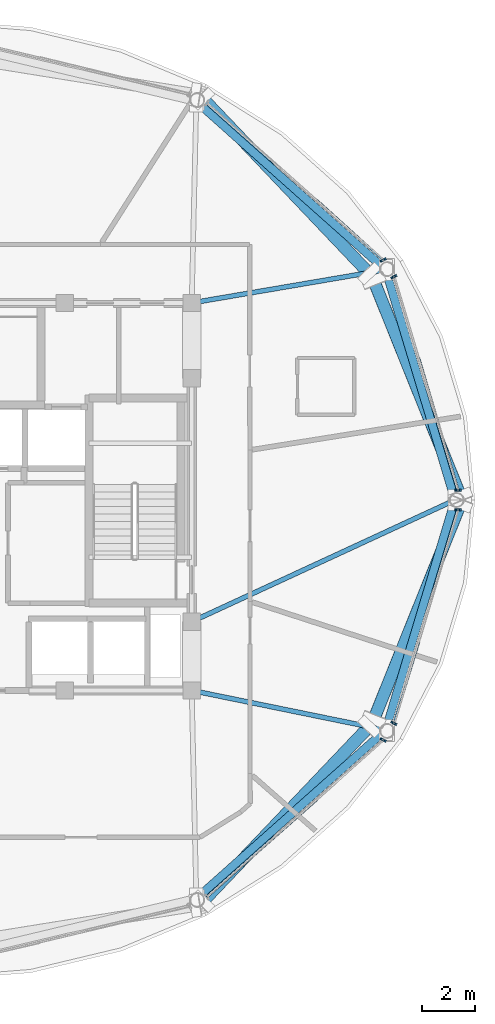
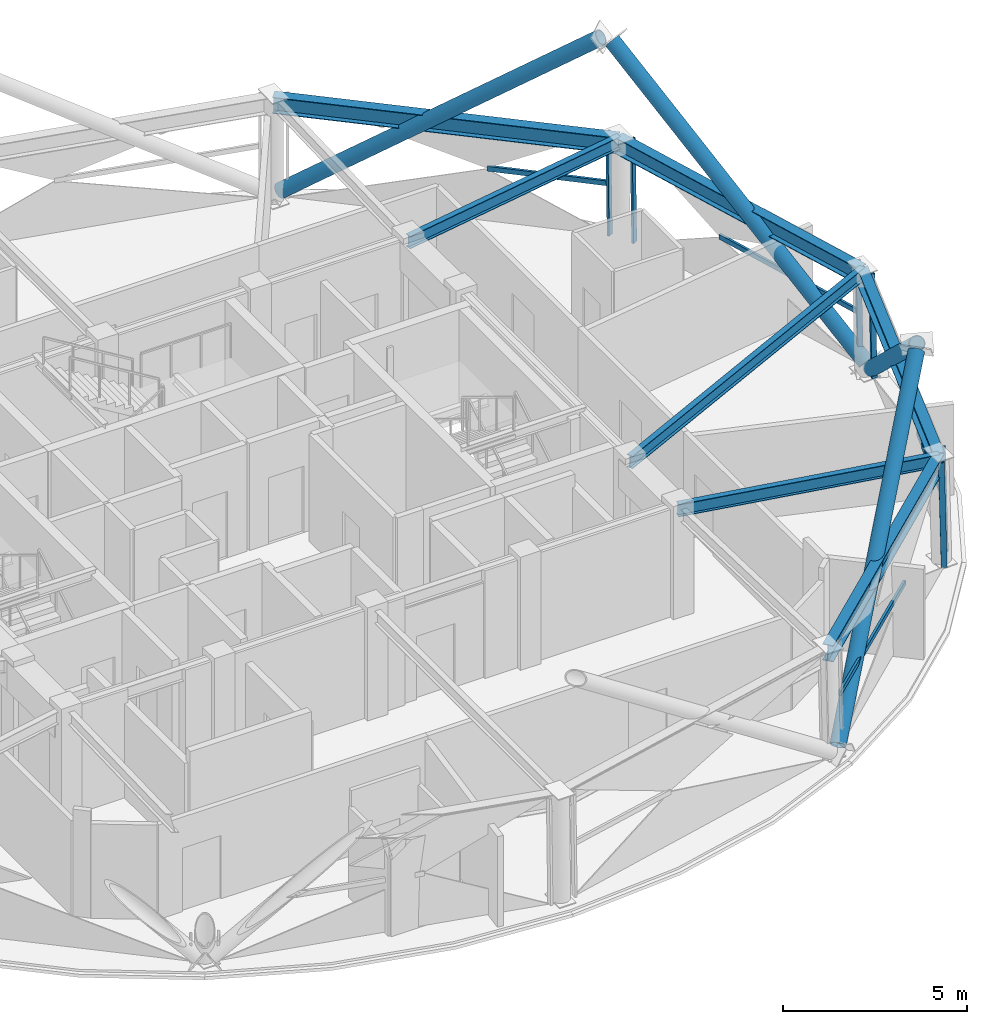
# One storey, part 4 of 15: 14 members, 7 beams, 4 elements without a shape of their own.
"""IFC4 building model written with IfcOpenShell, lengths in metres."""

import ifcopenshell
import ifcopenshell.guid

model = None  # the IFC model being written
_history = None  # IfcOwnerHistory: only IFC2X3 demands one
_inside = {}  # id of a spatial element -> (the spatial element, [elements in it])
_under = {}  # id of a project, library or spatial element -> (it, [spatial elements below it])
_declared = {}  # id of a project -> (the project, [libraries it declares])
_typed = {}  # id of a type object -> (the type object, [elements of that type])
_made_of = {}  # id of a material, layer set ... -> (it, [elements and type objects made of it])


def new_model(schema):
    """Start an empty IFC model of exactly this schema.

    Asked for "IFC4X3", IfcOpenShell would pick the latest addendum, in which some entities
    have other attributes; the version numbers below select the first issue.
    IFC2X3 requires an IfcOwnerHistory on every rooted entity: one is made here for all.
    """
    global model, _history
    if schema == "IFC4X3":
        model = ifcopenshell.file(schema_version=(4, 3, 0, 0))
    else:
        model = ifcopenshell.file(schema=schema)
    _inside.clear()
    _under.clear()
    _declared.clear()
    _typed.clear()
    _made_of.clear()
    _history = None
    if model.schema == "IFC2X3":
        org = make("IfcOrganization", Name="unknown")
        user = make(
            "IfcPersonAndOrganization",
            ThePerson=make("IfcPerson", FamilyName="unknown"),
            TheOrganization=org,
        )
        app = make(
            "IfcApplication",
            ApplicationDeveloper=org,
            Version="unknown",
            ApplicationFullName="unknown",
            ApplicationIdentifier="unknown",
        )
        _history = make(
            "IfcOwnerHistory",
            OwningUser=user,
            OwningApplication=app,
            ChangeAction="ADDED",
            CreationDate=0,
        )
    return model


def make(cls, **values):
    """One entity of the class cls with the attributes given. An attribute that is None is left unset."""
    return model.create_entity(
        cls, **{name: value for name, value in values.items() if value is not None}
    )


def rooted(cls, **values):
    """An entity with a GlobalId (a new one), such as an element, a storey or a relation."""
    return make(cls, GlobalId=ifcopenshell.guid.new(), OwnerHistory=_history, **values)


def si_unit(unit_type, name, prefix=None):
    """IfcSIUnit, for example si_unit("LENGTHUNIT", "METRE", prefix="MILLI")."""
    return make("IfcSIUnit", UnitType=unit_type, Prefix=prefix, Name=name)


def assignment(units):
    """IfcUnitAssignment: the units of a project."""
    return None if units is None else make("IfcUnitAssignment", Units=units)


def point(xyz):
    """IfcCartesianPoint."""
    return None if xyz is None else make("IfcCartesianPoint", Coordinates=xyz)


def direction(xyz):
    """IfcDirection."""
    return None if xyz is None else make("IfcDirection", DirectionRatios=xyz)


def frame(location, z_axis=None, x_axis=None):
    """IfcAxis2Placement3D, a coordinate frame: its origin and axes. An axis left out is left unset."""
    return make(
        "IfcAxis2Placement3D",
        Location=point(location),
        Axis=direction(z_axis),
        RefDirection=direction(x_axis),
    )


def frame_2d(location, x_axis=None):
    """IfcAxis2Placement2D, a coordinate frame in the plane: its origin and x axis."""
    return make(
        "IfcAxis2Placement2D", Location=point(location), RefDirection=direction(x_axis)
    )


def origin():
    """The frame at (0, 0, 0) with its axes left unset."""
    return frame((0.0, 0.0, 0.0))


def origin_2d():
    """The frame at (0, 0) in the plane with its x axis left unset."""
    return frame_2d((0.0, 0.0))


def place(relative_to, where):
    """IfcLocalPlacement: puts the frame where relative to a parent placement (None: the world)."""
    return make(
        "IfcLocalPlacement", PlacementRelTo=relative_to, RelativePlacement=where
    )


def context(
    kind, dimensions, precision=None, world=None, true_north=None, identifier=None
):
    """IfcGeometricRepresentationContext, for example the 3D "Model" context."""
    return make(
        "IfcGeometricRepresentationContext",
        ContextIdentifier=identifier,
        ContextType=kind,
        CoordinateSpaceDimension=dimensions,
        Precision=precision,
        WorldCoordinateSystem=world,
        TrueNorth=true_north,
    )


def subcontext(parent, identifier, kind, view, scale=None):
    """IfcGeometricRepresentationSubContext, for example "Body" below "Model"."""
    return make(
        "IfcGeometricRepresentationSubContext",
        ContextIdentifier=identifier,
        ContextType=kind,
        ParentContext=parent,
        TargetScale=scale,
        TargetView=view,
    )


def project(units=None, contexts=None):
    """IfcProject with its units and contexts."""
    return rooted(
        "IfcProject",
        Name="project",
        RepresentationContexts=contexts,
        UnitsInContext=assignment(units),
    )


def spatial(cls, under=None, at=None, **own):
    """A site, building, storey or space (cls), placed at a placement, below another one or the project."""
    s = rooted(cls, ObjectPlacement=at, **own)
    if under is not None:
        _under.setdefault(under.id(), (under, []))[1].append(s)
    return s


def profile(cls, at=None, kind="AREA", **sizes):
    """A parametric profile (cls). Its sizes go by their IFC names, for example OverallWidth=200.0."""
    return make(cls, ProfileType=kind, Position=at, **sizes)


def hollow_rectangle(**sizes):
    """IfcRectangleHollowProfileDef."""
    return profile("IfcRectangleHollowProfileDef", **sizes)


def hollow_circle(**sizes):
    """IfcCircleHollowProfileDef."""
    return profile("IfcCircleHollowProfileDef", **sizes)


def i_section(**sizes):
    """IfcIShapeProfileDef."""
    return profile("IfcIShapeProfileDef", **sizes)


def extrude(swept, where, along, depth):
    """IfcExtrudedAreaSolid: the profile swept, set in the frame where, extruded along a direction by depth."""
    return make(
        "IfcExtrudedAreaSolid",
        SweptArea=swept,
        Position=where,
        ExtrudedDirection=direction(along),
        Depth=depth,
    )


def shape(context_of_items, identifier, shape_type, items):
    """IfcShapeRepresentation: the items that make up one representation, for example the "Body"."""
    return make(
        "IfcShapeRepresentation",
        ContextOfItems=context_of_items,
        RepresentationIdentifier=identifier,
        RepresentationType=shape_type,
        Items=items,
    )


def material(Name=None, Category=None):
    """IfcMaterial."""
    return make("IfcMaterial", Name=Name, Category=Category)


def layer(
    of_material, thickness, ventilated=None, Name=None, Category=None, Priority=None
):
    """IfcMaterialLayer: one layer of a wall or slab, of a material (None: an air gap)."""
    return make(
        "IfcMaterialLayer",
        Material=of_material,
        LayerThickness=thickness,
        IsVentilated=ventilated,
        Name=Name,
        Category=Category,
        Priority=Priority,
    )


def layer_set(layers, Name=None):
    """IfcMaterialLayerSet."""
    return make("IfcMaterialLayerSet", MaterialLayers=layers, LayerSetName=Name)


def material_profile(
    of_material, cross_section, Name=None, Category=None, Priority=None
):
    """IfcMaterialProfile: a cross section and its material."""
    return make(
        "IfcMaterialProfile",
        Name=Name,
        Material=of_material,
        Profile=cross_section,
        Priority=Priority,
        Category=Category,
    )


def profile_set(profiles, Name=None, composite=None):
    """IfcMaterialProfileSet."""
    return make(
        "IfcMaterialProfileSet",
        Name=Name,
        MaterialProfiles=profiles,
        CompositeProfile=composite,
    )


def made_of(thing, what):
    """Note that an element or type object is made of a material, layer set ...; save() writes the relation."""
    if what is not None:
        _made_of.setdefault(what.id(), (what, []))[1].append(thing)
    return thing


def type_object(cls, material=None, **own):
    """A type object (cls), such as IfcWallType, which elements share."""
    return made_of(rooted(cls, **own), material)


def element(
    cls,
    number,
    at=None,
    inside=None,
    cuts=None,
    type_object=None,
    material=None,
    context=None,
    identifier="Body",
    shape_type=None,
    held_by="IfcProductDefinitionShape",
    body=None,
    shapes=None,
    **own,
):
    """One element of the class cls, such as IfcWall. Its Tag is "e" and its number.

    at: its placement. inside: the storey or other place that contains it. cuts: it is an
    opening in that element (IfcRelVoidsElement). A single representation is given by context,
    identifier, shape_type and body (its items); several are given by shapes. held_by: the class
    of the entity that holds the representations. save() writes the other relations.
    """
    e = rooted(cls, Tag="e%d" % number, ObjectPlacement=at, **own)
    if body is not None:
        shapes = [shape(context, identifier, shape_type, body)]
    if shapes is not None:
        e.Representation = make(held_by, Representations=shapes)
    if inside is not None:
        _inside.setdefault(inside.id(), (inside, []))[1].append(e)
    if cuts is not None:
        rooted(
            "IfcRelVoidsElement", RelatingBuildingElement=cuts, RelatedOpeningElement=e
        )
    if type_object is not None:
        _typed.setdefault(type_object.id(), (type_object, []))[1].append(e)
    return made_of(e, material)


def aggregate(whole, parts):
    """IfcRelAggregates: a whole, such as a stair, and the parts it consists of."""
    return rooted("IfcRelAggregates", RelatingObject=whole, RelatedObjects=parts)


def save(model, path):
    """Write the relations noted so far, then the file.

    IfcRelAggregates (storeys below a building ...), IfcRelContainedInSpatialStructure (elements
    in a storey), IfcRelDefinesByType, IfcRelAssociatesMaterial and IfcRelDeclares: one each for
    every whole, place, type object, material and project.
    """
    for whole, parts in _under.values():
        aggregate(whole, parts)
    for where, things in _inside.values():
        rooted(
            "IfcRelContainedInSpatialStructure",
            RelatedElements=things,
            RelatingStructure=where,
        )
    for kind, things in _typed.values():
        rooted("IfcRelDefinesByType", RelatedObjects=things, RelatingType=kind)
    for what, things in _made_of.values():
        rooted("IfcRelAssociatesMaterial", RelatedObjects=things, RelatingMaterial=what)
    for by, libraries in _declared.values():
        rooted("IfcRelDeclares", RelatingContext=by, RelatedDefinitions=libraries)
    model.write(path)


model = new_model("IFC4")

# Units and contexts
model_context = context("Model", 3, precision=1e-05, world=origin(), true_north=direction((0.0, 1.0)))
body_context = subcontext(model_context, "Body", "Model", "MODEL_VIEW")
ifc_project = project(units=[si_unit("LENGTHUNIT", "METRE"), si_unit("AREAUNIT", "SQUARE_METRE"), si_unit("VOLUMEUNIT", "CUBIC_METRE"), si_unit("PLANEANGLEUNIT", "RADIAN"), si_unit("MASSUNIT", "GRAM", prefix="KILO")], contexts=[model_context])

# Site, building, storey
site_placement = place(None, origin())
site = spatial("IfcSite", under=ifc_project, at=site_placement, CompositionType="ELEMENT")
building_placement = place(site_placement, origin())
building = spatial("IfcBuilding", under=site, at=building_placement, Name="Vantalir Tower", CompositionType="ELEMENT")
storey_placement = place(building_placement, frame((0.0, 0.0, 275.10009765625)))
storey = spatial("IfcBuildingStorey", under=building, at=storey_placement, Name="L69", CompositionType="ELEMENT", Elevation=275.10009765625)

# Beams
ifc_material_1 = material(Name="Steel S355", Category="steel")
ifc_material_profile_1 = material_profile(ifc_material_1, i_section(OverallWidth=0.179931640625, OverallDepth=0.4130859375, WebThickness=0.009521484375, FlangeThickness=0.01611328125, at=origin_2d()), Name="Steel S355")
ifc_profile_set_1 = profile_set([ifc_material_profile_1], Name="Steel S355")
beam_type_1 = type_object("IfcBeamType", Name="BM-RB-406x178", PredefinedType="BEAM", material=ifc_profile_set_1)
beam_1_placement = place(storey_placement, frame((51.050048828125, 25.0, 3.364013671875), z_axis=(-0.907688021413, -0.419645631198, 0.0), x_axis=(0.419645631198, -0.907688021413, 0.0)))
element("IfcBeam", 1, at=beam_1_placement, inside=storey, type_object=beam_type_1, Name="L69 Radial Floor Beam 01", PredefinedType="BEAM", context=body_context, shape_type="SweptSolid", body=[
    extrude(i_section(OverallWidth=0.179931640625, OverallDepth=0.4130859375, WebThickness=0.009521484375, FlangeThickness=0.01611328125, at=origin_2d()), origin(), (0.0, 0.0, 1.0), 10.9619140625),
])
beam_2_placement = place(storey_placement, frame((48.430908203125, 33.697998046875, 3.364013671875), z_axis=(-0.98581562279, -0.167831933383, 0.0), x_axis=(0.167831933383, -0.98581562279, 0.0)))
element("IfcBeam", 2, at=beam_2_placement, inside=storey, type_object=beam_type_1, Name="L69 Radial Floor Beam 02", PredefinedType="BEAM", context=body_context, shape_type="SweptSolid", body=[
    extrude(i_section(OverallWidth=0.179931640625, OverallDepth=0.4130859375, WebThickness=0.009521484375, FlangeThickness=0.01611328125, at=origin_2d()), origin(), (0.0, 0.0, 1.0), 7.436279296875),
])
beam_3_placement = place(storey_placement, frame((48.430908203125, 16.302001953125, 3.364013671875), z_axis=(-0.979752623577, 0.200211879251, 0.0), x_axis=(-0.200211879251, -0.979752623577, 0.0)))
element("IfcBeam", 3, at=beam_3_placement, inside=storey, type_object=beam_type_1, Name="L69 Radial Floor Beam 12", PredefinedType="BEAM", context=body_context, shape_type="SweptSolid", body=[
    extrude(i_section(OverallWidth=0.179931640625, OverallDepth=0.4130859375, WebThickness=0.009521484375, FlangeThickness=0.01611328125, at=origin_2d()), origin(), (0.0, 0.0, 1.0), 7.482421875),
])
ifc_material_2 = material(Name="Steel S460", Category="steel")
ifc_material_profile_2 = material_profile(ifc_material_2, i_section(OverallWidth=0.31201171875, OverallDepth=0.5419921875, WebThickness=0.0126953125, FlangeThickness=0.020263671875, at=origin_2d()), Name="Steel S460")
ifc_profile_set_2 = profile_set([ifc_material_profile_2], Name="Steel S460")
beam_type_2 = type_object("IfcBeamType", Name="BM-RG-533x312", PredefinedType="USERDEFINED", material=ifc_profile_set_2)
beam_4_placement = place(storey_placement, frame((51.050048828125, 25.0, 3.298828125), z_axis=(-0.288331563438, 0.957530631116, 0.0), x_axis=(-0.957530631116, -0.288331563438, 0.0)))
element("IfcBeam", 4, at=beam_4_placement, inside=storey, type_object=beam_type_2, Name="L69 Circumferential Ring Girder 01", ObjectType="GIRDER", PredefinedType="USERDEFINED", context=body_context, shape_type="SweptSolid", body=[
    extrude(i_section(OverallWidth=0.31201171875, OverallDepth=0.5419921875, WebThickness=0.0126953125, FlangeThickness=0.020263671875, at=origin_2d()), origin(), (0.0, 0.0, 1.0), 9.083740234375),
])
for number, where, z_axis, x_axis, name in (
    (5, (48.430908203125, 33.697998046875, 3.298828125), (-0.747095638048, 0.664716561859, 0.0), (-0.664716561859, -0.747095638048, 0.0), "L69 Circumferential Ring Girder 02"),
    (6, (41.27490234375, 9.93505859375, 3.298828125), (0.747095638048, 0.664716561859, 0.0), (-0.664716561859, 0.747095638048, 0.0), "L69 Circumferential Ring Girder 11"),
):
    element("IfcBeam", number, at=place(storey_placement, frame(where, z_axis=z_axis, x_axis=x_axis)), inside=storey, type_object=beam_type_2, Name=name, ObjectType="GIRDER", PredefinedType="USERDEFINED", context=body_context, shape_type="SweptSolid", body=[
        extrude(i_section(OverallWidth=0.31201171875, OverallDepth=0.5419921875, WebThickness=0.0126953125, FlangeThickness=0.020263671875, at=origin_2d()), origin(), (0.0, 0.0, 1.0), 9.578369140625),
    ])
beam_5_placement = place(storey_placement, frame((48.430908203125, 16.302001953125, 3.298828125), z_axis=(0.288331563438, 0.957530631116, 0.0), x_axis=(-0.957530631116, 0.288331563438, 0.0)))
element("IfcBeam", 7, at=beam_5_placement, inside=storey, type_object=beam_type_2, Name="L69 Circumferential Ring Girder 12", ObjectType="GIRDER", PredefinedType="USERDEFINED", context=body_context, shape_type="SweptSolid", body=[
    extrude(i_section(OverallWidth=0.31201171875, OverallDepth=0.5419921875, WebThickness=0.0126953125, FlangeThickness=0.020263671875, at=origin_2d()), origin(), (0.0, 0.0, 1.0), 9.083740234375),
])

# Curtain wall, members
ifc_material_3 = material(Name="Champagne-silver PVDF aluminium and double-silver Low-E glass", Category="aluminium")
ifc_layer = layer(ifc_material_3, 0.219970703125)
ifc_layer_set = layer_set([ifc_layer], Name="Champagne-silver PVDF aluminium and double-silver Low-E glass")
curtain_wall_type = type_object("IfcCurtainWallType", Name="CW-DIAMOND-Z4", PredefinedType="USERDEFINED", material=ifc_layer_set)
curtain_wall_1_placement = place(storey_placement, origin())
curtain_wall_1 = element("IfcCurtainWall", 8, at=curtain_wall_1_placement, inside=storey, type_object=curtain_wall_type, Name="L69 Quilted Pyramid-Diamond Curtain Wall S01", ObjectType="UNITISED CURTAIN WALL", PredefinedType="USERDEFINED")
ifc_material_4 = material(Name="Champagne-silver PVDF aluminium 6063-T6", Category="aluminium")
ifc_material_profile_3 = material_profile(ifc_material_4, hollow_rectangle(XDim=0.070068359375, YDim=0.1650390625, WallThickness=0.00390625, at=origin_2d()), Name="Champagne-silver PVDF aluminium 6063-T6")
ifc_profile_set_3 = profile_set([ifc_material_profile_3], Name="Champagne-silver PVDF aluminium 6063-T6")
member_type_1 = type_object("IfcMemberType", Name="CWM-165x70", PredefinedType="MULLION", material=ifc_profile_set_3)
member_1_placement = place(storey_placement, frame((51.2080078125, 25.373046875, 0.044921875), z_axis=(-0.023004994726, 0.0, 0.999735350089), x_axis=(0.0, -1.0, 0.0)))
member_1 = element("IfcMember", 9, at=member_1_placement, type_object=member_type_1, Name="CW-L69-S01 Mullion 1", PredefinedType="MULLION", context=body_context, shape_type="SweptSolid", body=[
    extrude(hollow_rectangle(XDim=0.070068359375, YDim=0.1650390625, WallThickness=0.00390625, at=origin_2d()), origin(), (0.0, 0.0, 1.0), 3.48095703125),
])
member_2_placement = place(storey_placement, frame((48.777099609375, 33.4560546875, 0.044921875), z_axis=(-0.020129534317, -0.010380387034, 0.999743491808), x_axis=(0.458327357576, -0.888783456921, 0.0)))
member_2 = element("IfcMember", 10, at=member_2_placement, type_object=member_type_1, Name="CW-L69-S01 Mullion 2", PredefinedType="MULLION", context=body_context, shape_type="SweptSolid", body=[
    extrude(hollow_rectangle(XDim=0.070068359375, YDim=0.1650390625, WallThickness=0.00390625, at=origin_2d()), origin(), (0.0, 0.0, 1.0), 3.48095703125),
])

# Curtain wall, member
curtain_wall_2_placement = place(storey_placement, origin())
curtain_wall_2 = element("IfcCurtainWall", 11, at=curtain_wall_2_placement, inside=storey, type_object=curtain_wall_type, Name="L69 Quilted Pyramid-Diamond Curtain Wall S02", ObjectType="UNITISED CURTAIN WALL", PredefinedType="USERDEFINED")
member_3_placement = place(storey_placement, frame((48.3740234375, 34.087890625, 0.044921875), z_axis=(-0.020129548923, -0.010310256765, 0.99974421722), x_axis=(0.455875869806, -0.890043364859, 0.0)))
member_3 = element("IfcMember", 12, at=member_3_placement, type_object=member_type_1, Name="CW-L69-S02 Mullion 1", PredefinedType="MULLION", context=body_context, shape_type="SweptSolid", body=[
    extrude(hollow_rectangle(XDim=0.070068359375, YDim=0.1650390625, WallThickness=0.00390625, at=origin_2d()), origin(), (0.0, 0.0, 1.0), 3.48095703125),
])

curtain_wall_3_placement = place(storey_placement, origin())
curtain_wall_3 = element("IfcCurtainWall", 13, at=curtain_wall_3_placement, inside=storey, type_object=curtain_wall_type, Name="L69 Quilted Pyramid-Diamond Curtain Wall S11", ObjectType="UNITISED CURTAIN WALL", PredefinedType="USERDEFINED")
member_4_placement = place(storey_placement, frame((48.3740234375, 15.912109375, 0.044921875), z_axis=(-0.020129548923, 0.010310256765, 0.99974421722), x_axis=(-0.455875869806, -0.890043364859, 0.0)))
member_4 = element("IfcMember", 14, at=member_4_placement, type_object=member_type_1, Name="CW-L69-S11 Mullion 2", PredefinedType="MULLION", context=body_context, shape_type="SweptSolid", body=[
    extrude(hollow_rectangle(XDim=0.070068359375, YDim=0.1650390625, WallThickness=0.00390625, at=origin_2d()), origin(), (0.0, 0.0, 1.0), 3.48095703125),
])

# Curtain wall, members
curtain_wall_4_placement = place(storey_placement, origin())
curtain_wall_4 = element("IfcCurtainWall", 15, at=curtain_wall_4_placement, inside=storey, type_object=curtain_wall_type, Name="L69 Quilted Pyramid-Diamond Curtain Wall S12", ObjectType="UNITISED CURTAIN WALL", PredefinedType="USERDEFINED")
member_5_placement = place(storey_placement, frame((48.777099609375, 16.5439453125, 0.044921875), z_axis=(-0.020129534317, 0.010380387034, 0.999743491808), x_axis=(-0.458327357576, -0.888783456921, 0.0)))
member_5 = element("IfcMember", 16, at=member_5_placement, type_object=member_type_1, Name="CW-L69-S12 Mullion 1", PredefinedType="MULLION", context=body_context, shape_type="SweptSolid", body=[
    extrude(hollow_rectangle(XDim=0.070068359375, YDim=0.1650390625, WallThickness=0.00390625, at=origin_2d()), origin(), (0.0, 0.0, 1.0), 3.48095703125),
])
member_6_placement = place(storey_placement, frame((51.2080078125, 24.626953125, 0.044921875), z_axis=(-0.023004994726, 0.0, 0.999735350089), x_axis=(0.0, -1.0, 0.0)))
member_6 = element("IfcMember", 17, at=member_6_placement, type_object=member_type_1, Name="CW-L69-S12 Mullion 2", PredefinedType="MULLION", context=body_context, shape_type="SweptSolid", body=[
    extrude(hollow_rectangle(XDim=0.070068359375, YDim=0.1650390625, WallThickness=0.00390625, at=origin_2d()), origin(), (0.0, 0.0, 1.0), 3.48095703125),
])

# Member
ifc_material_profile_4 = material_profile(ifc_material_4, hollow_rectangle(XDim=0.074951171875, YDim=0.159912109375, WallThickness=0.00390625, at=origin_2d()), Name="Champagne-silver PVDF aluminium 6063-T6")
ifc_profile_set_4 = profile_set([ifc_material_profile_4], Name="Champagne-silver PVDF aluminium 6063-T6")
member_type_2 = type_object("IfcMemberType", Name="CWT-160x75", PredefinedType="USERDEFINED", material=ifc_profile_set_4)
member_7_placement = place(storey_placement, frame((51.16796875, 25.373046875, 1.784912109375), z_axis=(-0.283639342579, 0.958931031587, 0.0), x_axis=(-0.958931031587, -0.283639342579, 0.0)))
member_7 = element("IfcMember", 18, at=member_7_placement, type_object=member_type_2, Name="CW-L69-S01 Pyramid Fold Ridge Transom", ObjectType="TRANSOM", PredefinedType="USERDEFINED", context=body_context, shape_type="SweptSolid", body=[
    extrude(hollow_rectangle(XDim=0.074951171875, YDim=0.159912109375, WallThickness=0.00390625, at=origin_2d()), origin(), (0.0, 0.0, 1.0), 5.22119140625),
])

aggregate(curtain_wall_1, [member_1, member_2, member_7])

member_8_placement = place(storey_placement, frame((48.339111328125, 34.070068359375, 1.784912109375), z_axis=(-0.741979938923, 0.670422083643, 0.0), x_axis=(-0.670422083643, -0.741979938923, 0.0)))
member_8 = element("IfcMember", 19, at=member_8_placement, type_object=member_type_2, Name="CW-L69-S02 Pyramid Fold Ridge Transom", ObjectType="TRANSOM", PredefinedType="USERDEFINED", context=body_context, shape_type="SweptSolid", body=[
    extrude(hollow_rectangle(XDim=0.074951171875, YDim=0.159912109375, WallThickness=0.00390625, at=origin_2d()), origin(), (0.0, 0.0, 1.0), 3.384521484375),
])

aggregate(curtain_wall_2, [member_3, member_8])

member_9_placement = place(storey_placement, frame((41.680908203125, 9.998046875, 1.784912109375), z_axis=(0.749501672845, 0.66200244894, 0.0), x_axis=(-0.66200244894, 0.749501672845, 0.0)))
member_9 = element("IfcMember", 20, at=member_9_placement, type_object=member_type_2, Name="CW-L69-S11 Pyramid Fold Ridge Transom", ObjectType="TRANSOM", PredefinedType="USERDEFINED", context=body_context, shape_type="SweptSolid", body=[
    extrude(hollow_rectangle(XDim=0.074951171875, YDim=0.159912109375, WallThickness=0.00390625, at=origin_2d()), origin(), (0.0, 0.0, 1.0), 5.532958984375),
])

aggregate(curtain_wall_3, [member_4, member_9])

member_10_placement = place(storey_placement, frame((48.741943359375, 16.56201171875, 1.784912109375), z_axis=(0.295259433122, 0.955417116841, 0.0), x_axis=(-0.955417116841, 0.295259433122, 0.0)))
member_10 = element("IfcMember", 21, at=member_10_placement, type_object=member_type_2, Name="CW-L69-S12 Pyramid Fold Ridge Transom", ObjectType="TRANSOM", PredefinedType="USERDEFINED", context=body_context, shape_type="SweptSolid", body=[
    extrude(hollow_rectangle(XDim=0.074951171875, YDim=0.159912109375, WallThickness=0.00390625, at=origin_2d()), origin(), (0.0, 0.0, 1.0), 3.200927734375),
])

aggregate(curtain_wall_4, [member_5, member_6, member_10])

# Members
ifc_material_profile_5 = material_profile(ifc_material_2, hollow_circle(Radius=0.22998046875, WallThickness=0.028076171875, at=origin_2d()), Name="Steel S460")
ifc_profile_set_5 = profile_set([ifc_material_profile_5], Name="Steel S460")
member_type_3 = type_object("IfcMemberType", Name="MEM-DB-460x28", PredefinedType="BRACE", material=ifc_profile_set_5)
for number, where, z_axis, x_axis, name in (
    (22, (51.2548828125, 25.159912109375, 0.2158203125), (-0.293452177569, 0.729193494326, 0.618193066374), (-0.927696059501, -0.373336337887, 0.0), "L69 Perimeter S460 Diagrid Brace R01L"),
    (23, (51.2548828125, 24.840087890625, 0.2158203125), (-0.293452177569, -0.729193494326, 0.618193066374), (0.927696059501, -0.373336337887, 0.0), "L69 Perimeter S460 Diagrid Brace R01R"),
):
    element("IfcMember", number, at=place(storey_placement, frame(where, z_axis=z_axis, x_axis=x_axis)), inside=storey, type_object=member_type_3, Name=name, PredefinedType="BRACE", context=body_context, shape_type="SweptSolid", body=[
        extrude(hollow_circle(Radius=0.22998046875, WallThickness=0.028076171875, at=origin_2d()), origin(), (0.0, 0.0, 1.0), 11.142333984375),
    ])
for number, where, z_axis, x_axis, name in (
    (24, (41.531005859375, 40.1650390625, 0.212890625), (0.549145510515, -0.577614493708, 0.603987338394), (0.724741413117, 0.689020960576, 0.0), "L69 Perimeter S460 Diagrid Brace R07R"),
    (25, (41.531005859375, 9.8349609375, 0.212890625), (0.549145510515, 0.577614493708, 0.603987338394), (-0.724741413117, 0.689020960576, 0.0), "L69 Perimeter S460 Diagrid Brace R31L"),
):
    element("IfcMember", number, at=place(storey_placement, frame(where, z_axis=z_axis, x_axis=x_axis)), inside=storey, type_object=member_type_3, Name=name, PredefinedType="BRACE", context=body_context, shape_type="SweptSolid", body=[
        extrude(hollow_circle(Radius=0.22998046875, WallThickness=0.028076171875, at=origin_2d()), origin(), (0.0, 0.0, 1.0), 11.414306640625),
    ])

save(model, "model.ifc")
